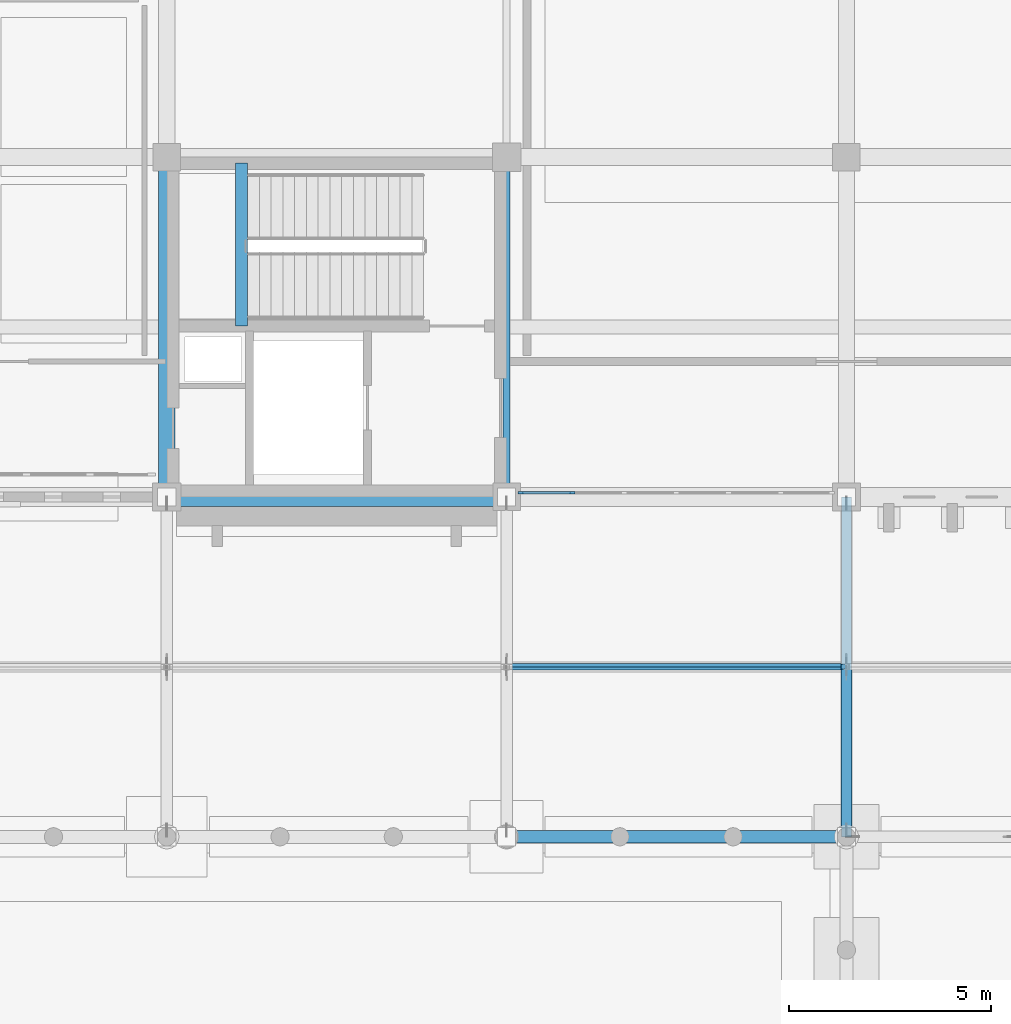
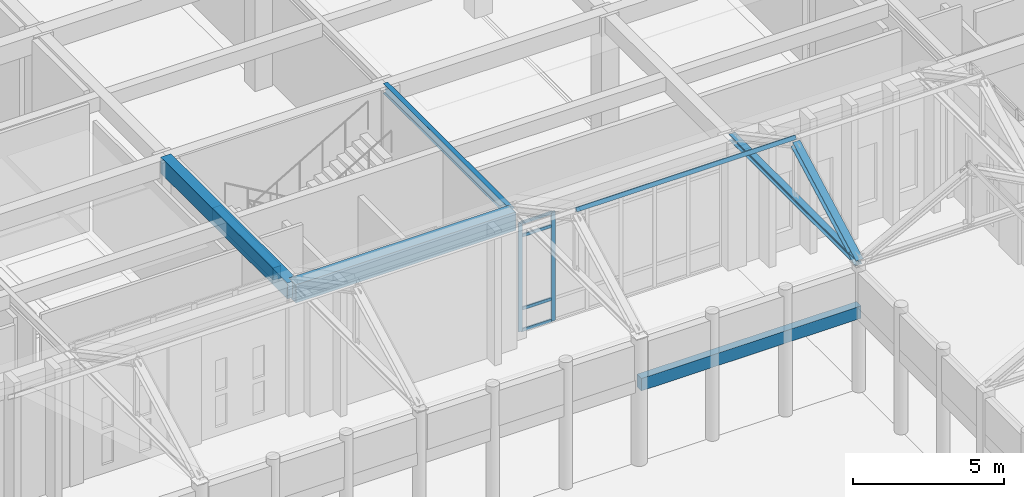
# One storey, part 64 of 143: 9 members, 5 beams, 1 element without a shape of its own.
"""IFC4 building model written with IfcOpenShell, lengths in metres."""

from ifc_helpers import new_model, si_unit, direction, frame, origin, origin_2d, place, context, subcontext, project, spatial, rectangle, hollow_rectangle, i_section, extrude, material, layer, layer_set, material_profile, profile_set, type_object, element, aggregate, save


model = new_model("IFC4")

# Units and contexts
model_context = context("Model", 3, precision=1e-05, world=origin(), true_north=direction((0.0, 1.0)))
body_context = subcontext(model_context, "Body", "Model", "MODEL_VIEW")
ifc_project = project(units=[si_unit("LENGTHUNIT", "METRE"), si_unit("AREAUNIT", "SQUARE_METRE"), si_unit("VOLUMEUNIT", "CUBIC_METRE"), si_unit("PLANEANGLEUNIT", "RADIAN"), si_unit("MASSUNIT", "GRAM", prefix="KILO")], contexts=[model_context])

# Site, building, storey
site_placement = place(None, origin())
site = spatial("IfcSite", under=ifc_project, at=site_placement, CompositionType="ELEMENT")
building_placement = place(site_placement, origin())
building = spatial("IfcBuilding", under=site, at=building_placement, Name="Kveldsbrygga Polytechnic", CompositionType="ELEMENT")
storey_placement = place(building_placement, origin())
storey = spatial("IfcBuildingStorey", under=building, at=storey_placement, Name="L00", CompositionType="ELEMENT", Elevation=0.0)

# Beams
ifc_material_1 = material(Name="Concrete C35/45", Category="concrete")
ifc_material_profile_1 = material_profile(ifc_material_1, rectangle(XDim=0.39990234375, YDim=0.64990234375, at=origin_2d()), Name="RC 400x650")
ifc_profile_set_1 = profile_set([ifc_material_profile_1], Name="Concrete C35/45")
beam_type_1 = type_object("IfcBeamType", Name="BM-RC-400x650", PredefinedType="BEAM", material=ifc_profile_set_1)
beam_1_placement = place(storey_placement, frame((100.800048828125, 84.0, 4.81494140625), z_axis=(0.0, 1.0, 0.0), x_axis=(-1.0, 0.0, 0.0)))
element("IfcBeam", 1, at=beam_1_placement, inside=storey, type_object=beam_type_1, Name="Primary Beam BMY-L00-12-10to11", PredefinedType="BEAM", context=body_context, shape_type="SweptSolid", body=[
    extrude(rectangle(XDim=0.39990234375, YDim=0.64990234375, at=origin_2d()), origin(), (0.0, 0.0, 1.0), 8.39990234375),
])
ifc_material_profile_2 = material_profile(ifc_material_1, rectangle(XDim=0.4599609375, YDim=0.739990234375, at=origin_2d()), Name="RC 460x740")
ifc_profile_set_2 = profile_set([ifc_material_profile_2], Name="Concrete C35/45")
beam_type_2 = type_object("IfcBeamType", Name="BM-RC-460x740", PredefinedType="BEAM", material=ifc_profile_set_2)
beam_2_placement = place(storey_placement, frame((100.800048828125, 84.0, 4.77001953125), z_axis=(1.0, 0.0, 0.0), x_axis=(0.0, 1.0, 0.0)))
element("IfcBeam", 2, at=beam_2_placement, inside=storey, type_object=beam_type_2, Name="Primary Beam BMX-L00-12to13-10", PredefinedType="BEAM", context=body_context, shape_type="SweptSolid", body=[
    extrude(rectangle(XDim=0.4599609375, YDim=0.739990234375, at=origin_2d()), origin(), (0.0, 0.0, 1.0), 8.39990234375),
])
ifc_material_2 = material(Name="Steel S355", Category="steel")
ifc_material_profile_3 = material_profile(ifc_material_2, i_section(OverallWidth=0.179931640625, OverallDepth=0.39990234375, WebThickness=0.008544921875, FlangeThickness=0.013427734375, FilletRadius=0.02099609375, at=origin_2d()), Name="IPE 400")
ifc_profile_set_3 = profile_set([ifc_material_profile_3], Name="Steel S355")
beam_type_3 = type_object("IfcBeamType", Name="BM-STL-IPE400", PredefinedType="BEAM", material=ifc_profile_set_3)
beam_3_placement = place(storey_placement, frame((109.199951171875, 84.0, 4.93994140625), z_axis=(0.0, 1.0, 0.0), x_axis=(-1.0, 0.0, 0.0)))
element("IfcBeam", 3, at=beam_3_placement, inside=storey, type_object=beam_type_3, Name="Primary Beam BMY-L00-13-10to11", PredefinedType="BEAM", context=body_context, shape_type="SweptSolid", body=[
    extrude(i_section(OverallWidth=0.179931640625, OverallDepth=0.39990234375, WebThickness=0.008544921875, FlangeThickness=0.013427734375, FilletRadius=0.02099609375, at=origin_2d()), origin(), (0.0, 0.0, 1.0), 8.39990234375),
])

# Curtain wall, members
ifc_material_3 = material(Name="Anodised aluminium AW-6060", Category="aluminium")
ifc_layer = layer(ifc_material_3, 0.179931640625)
ifc_layer_set = layer_set([ifc_layer], Name="Anodised aluminium AW-6060")
curtain_wall_type = type_object("IfcCurtainWallType", Name="CW-CONC-A", PredefinedType="USERDEFINED", material=ifc_layer_set)
curtain_wall_placement = place(storey_placement, origin())
curtain_wall = element("IfcCurtainWall", 4, at=curtain_wall_placement, inside=storey, type_object=curtain_wall_type, Name="Curtain Wall CW-L00-X-13-10", ObjectType="UNITISED CURTAIN WALL", PredefinedType="USERDEFINED")
ifc_material_profile_4 = material_profile(ifc_material_3, rectangle(XDim=0.06005859375, YDim=0.139892578125, at=origin_2d()), Name="ALU 60x140")
ifc_profile_set_4 = profile_set([ifc_material_profile_4], Name="Anodised aluminium AW-6060")
member_type_1 = type_object("IfcMemberType", Name="CW-MUL-140", PredefinedType="MULLION", material=ifc_profile_set_4)
member_1_placement = place(storey_placement, frame((109.554931640625, 84.10009765625, 0.0), z_axis=(0.0, 0.0, 1.0), x_axis=(0.0, 1.0, 0.0)))
member_1 = element("IfcMember", 5, at=member_1_placement, type_object=member_type_1, Name="CW-01 mullion 1", PredefinedType="MULLION", context=body_context, shape_type="SweptSolid", body=[
    extrude(rectangle(XDim=0.06005859375, YDim=0.139892578125, at=origin_2d()), origin(), (0.0, 0.0, 1.0), 4.39990234375),
])
member_2_placement = place(storey_placement, frame((110.81494140625, 84.10009765625, 0.0), z_axis=(0.0, 0.0, 1.0), x_axis=(0.0, 1.0, 0.0)))
member_2 = element("IfcMember", 6, at=member_2_placement, type_object=member_type_1, Name="CW-01 mullion 2", PredefinedType="MULLION", context=body_context, shape_type="SweptSolid", body=[
    extrude(rectangle(XDim=0.06005859375, YDim=0.139892578125, at=origin_2d()), origin(), (0.0, 0.0, 1.0), 4.39990234375),
])
ifc_material_profile_5 = material_profile(ifc_material_3, rectangle(XDim=0.06005859375, YDim=0.1201171875, at=origin_2d()), Name="ALU 60x120")
ifc_profile_set_5 = profile_set([ifc_material_profile_5], Name="Anodised aluminium AW-6060")
member_type_2 = type_object("IfcMemberType", Name="CW-TRN-120", PredefinedType="USERDEFINED", material=ifc_profile_set_5)
member_3_placement = place(storey_placement, frame((109.5849609375, 84.10009765625, 0.030029296875), z_axis=(1.0, 0.0, 0.0), x_axis=(0.0, 1.0, 0.0)))
member_3 = element("IfcMember", 7, at=member_3_placement, type_object=member_type_2, Name="CW-01 transom 1.1", ObjectType="TRANSOM", PredefinedType="USERDEFINED", context=body_context, shape_type="SweptSolid", body=[
    extrude(rectangle(XDim=0.06005859375, YDim=0.1201171875, at=origin_2d()), origin(), (0.0, 0.0, 1.0), 1.199951171875),
])
member_4_placement = place(storey_placement, frame((109.5849609375, 84.10009765625, 0.89990234375), z_axis=(1.0, 0.0, 0.0), x_axis=(0.0, 1.0, 0.0)))
member_4 = element("IfcMember", 8, at=member_4_placement, type_object=member_type_2, Name="CW-01 transom 1.2", ObjectType="TRANSOM", PredefinedType="USERDEFINED", context=body_context, shape_type="SweptSolid", body=[
    extrude(rectangle(XDim=0.06005859375, YDim=0.1201171875, at=origin_2d()), origin(), (0.0, 0.0, 1.0), 1.199951171875),
])
member_5_placement = place(storey_placement, frame((109.5849609375, 84.10009765625, 3.85009765625), z_axis=(1.0, 0.0, 0.0), x_axis=(0.0, 1.0, 0.0)))
member_5 = element("IfcMember", 9, at=member_5_placement, type_object=member_type_2, Name="CW-01 transom 1.3", ObjectType="TRANSOM", PredefinedType="USERDEFINED", context=body_context, shape_type="SweptSolid", body=[
    extrude(rectangle(XDim=0.06005859375, YDim=0.1201171875, at=origin_2d()), origin(), (0.0, 0.0, 1.0), 1.199951171875),
])
member_6_placement = place(storey_placement, frame((109.5849609375, 84.10009765625, 4.3701171875), z_axis=(1.0, 0.0, 0.0), x_axis=(0.0, 1.0, 0.0)))
member_6 = element("IfcMember", 10, at=member_6_placement, type_object=member_type_2, Name="CW-01 transom 1.4", ObjectType="TRANSOM", PredefinedType="USERDEFINED", context=body_context, shape_type="SweptSolid", body=[
    extrude(rectangle(XDim=0.06005859375, YDim=0.1201171875, at=origin_2d()), origin(), (0.0, 0.0, 1.0), 1.199951171875),
])
aggregate(curtain_wall, [member_1, member_2, member_3, member_4, member_5, member_6])

# Beams
ifc_material_profile_6 = material_profile(ifc_material_1, rectangle(XDim=0.300048828125, YDim=0.5, at=origin_2d()), Name="RC 300x500")
ifc_profile_set_6 = profile_set([ifc_material_profile_6], Name="Concrete C35/45")
beam_type_4 = type_object("IfcBeamType", Name="LNT-RC-300x500", PredefinedType="LINTEL", material=ifc_profile_set_6)
beam_4_placement = place(storey_placement, frame((102.64990234375, 88.22998046875, 2.27001953125), z_axis=(0.0, 1.0, 0.0), x_axis=(-1.0, 0.0, 0.0)))
element("IfcBeam", 11, at=beam_4_placement, inside=storey, type_object=beam_type_4, Name="Stair Landing Support Beam C5-L00-LNDB-1-1", PredefinedType="LINTEL", context=body_context, shape_type="SweptSolid", body=[
    extrude(rectangle(XDim=0.300048828125, YDim=0.5, at=origin_2d()), origin(), (0.0, 0.0, 1.0), 4.02001953125),
])
beam_5_placement = place(storey_placement, frame((109.199951171875, 75.60009765625, 3.199951171875), z_axis=(1.0, 0.0, 0.0), x_axis=(0.0, 1.0, 0.0)))
element("IfcBeam", 12, at=beam_5_placement, inside=storey, type_object=beam_type_4, Name="Cloister Arcade Arch Lintel Beam BM-ARC-HDR-15", PredefinedType="LINTEL", context=body_context, shape_type="SweptSolid", body=[
    extrude(rectangle(XDim=0.300048828125, YDim=0.5, at=origin_2d()), origin(), (0.0, 0.0, 1.0), 8.400146484375),
])

# Members
ifc_material_profile_7 = material_profile(ifc_material_2, hollow_rectangle(XDim=0.10009765625, YDim=0.14990234375, WallThickness=0.008056640625, at=origin_2d()), Name="RHS 150x100x8.0")
ifc_profile_set_7 = profile_set([ifc_material_profile_7], Name="Steel S355")
member_type_3 = type_object("IfcMemberType", Name="PRL-RHS150", PredefinedType="PURLIN", material=ifc_profile_set_7)
member_7_placement = place(storey_placement, frame((109.199951171875, 79.800048828125, 7.6337890625), z_axis=(1.0, 0.0, 0.0), x_axis=(0.0, 0.881479888517, -0.472221564671)))
element("IfcMember", 13, at=member_7_placement, inside=storey, type_object=member_type_3, Name="Roof Purlin ARC-EN-PRL-5-1", PredefinedType="PURLIN", context=body_context, shape_type="SweptSolid", body=[
    extrude(hollow_rectangle(XDim=0.10009765625, YDim=0.14990234375, WallThickness=0.008056640625, at=origin_2d()), origin(), (0.0, 0.0, 1.0), 8.400146484375),
])
ifc_material_profile_8 = material_profile(ifc_material_2, i_section(OverallWidth=0.239990234375, OverallDepth=0.239990234375, WebThickness=0.010009765625, FlangeThickness=0.01708984375, FilletRadius=0.02099609375, at=origin_2d()), Name="HEB 240")
ifc_profile_set_8 = profile_set([ifc_material_profile_8], Name="Steel S355")
member_type_4 = type_object("IfcMemberType", Name="TR-BOT-HEB240", PredefinedType="CHORD", material=ifc_profile_set_8)
member_8_placement = place(storey_placement, frame((117.60009765625, 75.60009765625, 5.139892578125), z_axis=(0.0, 1.0, 0.0), x_axis=(-1.0, 0.0, 0.0)))
element("IfcMember", 14, at=member_8_placement, inside=storey, type_object=member_type_4, Name="Truss Bottom Chord ARC-EN-T06-BC-1", PredefinedType="CHORD", context=body_context, shape_type="SweptSolid", body=[
    extrude(i_section(OverallWidth=0.239990234375, OverallDepth=0.239990234375, WebThickness=0.010009765625, FlangeThickness=0.01708984375, FilletRadius=0.02099609375, at=origin_2d()), origin(), (0.0, 0.0, 1.0), 8.39990234375),
])
ifc_material_profile_9 = material_profile(ifc_material_2, i_section(OverallWidth=0.280029296875, OverallDepth=0.280029296875, WebThickness=0.010498046875, FlangeThickness=0.01806640625, FilletRadius=0.02392578125, at=origin_2d()), Name="HEB 280")
ifc_profile_set_9 = profile_set([ifc_material_profile_9], Name="Steel S355")
member_type_5 = type_object("IfcMemberType", Name="TR-TOP-HEB280", PredefinedType="CHORD", material=ifc_profile_set_9)
member_9_placement = place(storey_placement, frame((117.60009765625, 75.60009765625, 5.139892578125), z_axis=(0.0, 0.881477684796, 0.472225678258), x_axis=(-1.0, 0.0, 0.0)))
element("IfcMember", 15, at=member_9_placement, inside=storey, type_object=member_type_5, Name="Truss Top Chord ARC-EN-T06-TC-1", PredefinedType="CHORD", context=body_context, shape_type="SweptSolid", body=[
    extrude(i_section(OverallWidth=0.280029296875, OverallDepth=0.280029296875, WebThickness=0.010498046875, FlangeThickness=0.01806640625, FilletRadius=0.02392578125, at=origin_2d()), origin(), (0.0, 0.0, 1.0), 4.7646484375),
])

save(model, "model.ifc")
